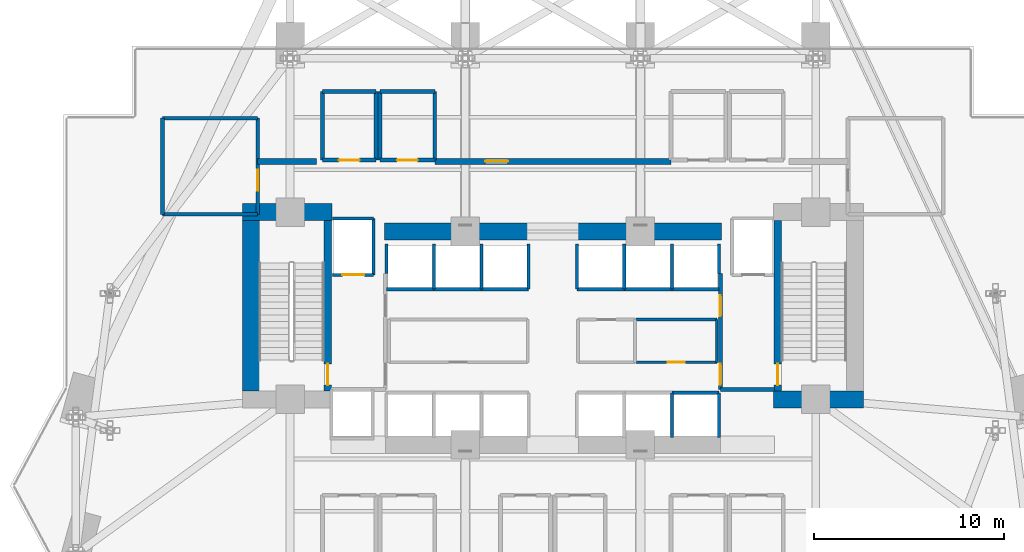
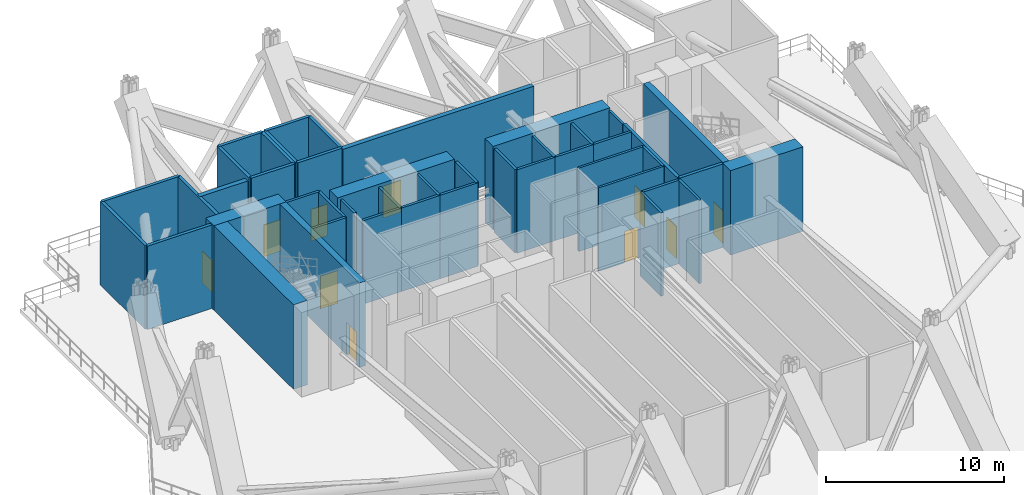
# One storey, part 14 of 21: 46 walls, 10 doors, 10 openings.
"""IFC4 building model written with IfcOpenShell, lengths in metres."""

from ifc_helpers import new_model, si_unit, direction, frame, frame_2d, origin, place, context, subcontext, project, spatial, rectangle, extrude, material, layer, layer_set, type_object, element, fill, save


model = new_model("IFC4")

# Units and contexts
model_context = context("Model", 3, precision=1e-05, world=origin(), true_north=direction((0.0, 1.0)))
body_context = subcontext(model_context, "Body", "Model", "MODEL_VIEW")
ifc_project = project(units=[si_unit("LENGTHUNIT", "METRE"), si_unit("AREAUNIT", "SQUARE_METRE"), si_unit("VOLUMEUNIT", "CUBIC_METRE"), si_unit("PLANEANGLEUNIT", "RADIAN"), si_unit("MASSUNIT", "GRAM", prefix="KILO")], contexts=[model_context])

# Site, building, storey
site_placement = place(None, origin())
site = spatial("IfcSite", under=ifc_project, at=site_placement, CompositionType="ELEMENT")
building_placement = place(site_placement, origin())
building = spatial("IfcBuilding", under=site, at=building_placement, Name="Zuhayl Quay Hotel", CompositionType="ELEMENT")
storey_placement = place(building_placement, frame((0.0, 0.0, 89.64990234375)))
storey = spatial("IfcBuildingStorey", under=building, at=storey_placement, Name="L22", CompositionType="ELEMENT", Elevation=89.64990234375)

# Walls
ifc_material_1 = material(Name="Concrete C70/85", Category="concrete")
ifc_layer_1 = layer(ifc_material_1, 0.89990234375, Name="Concrete C70/85", Category="concrete")
ifc_layer_set_1 = layer_set([ifc_layer_1], Name="Concrete C70/85")
wall_type_1 = type_object("IfcWallType", Name="WL_CORE_900", PredefinedType="SHEAR", material=ifc_layer_set_1)
wall_1_placement = place(storey_placement, frame((-16.31005859375, 14.3798828125, 0.0), z_axis=(0.0, 0.0, 1.0), x_axis=(1.0, 0.0, 0.0)))
element("IfcWall", 1, at=wall_1_placement, inside=storey, type_object=wall_type_1, Name="L22 Core Shear Wall CW_NW", PredefinedType="SHEAR", context=body_context, shape_type="SweptSolid", body=[
    extrude(rectangle(XDim=4.7099609375, YDim=0.89990234375, at=frame_2d((2.35498046875, 0.0))), origin(), (0.0, 0.0, 1.0), 5.81005859375),
])
wall_2_placement = place(storey_placement, frame((-15.860107421875, 4.969970703125, 0.0), z_axis=(0.0, 0.0, 1.0), x_axis=(0.0, 1.0, 0.0)))
element("IfcWall", 2, at=wall_2_placement, inside=storey, type_object=wall_type_1, Name="L22 Core Shear Wall CW_W", PredefinedType="SHEAR", context=body_context, shape_type="SweptSolid", body=[
    extrude(rectangle(XDim=8.9599609375, YDim=0.89990234375, at=frame_2d((4.47998046875, 0.0))), origin(), (0.0, 0.0, 1.0), 5.81005859375),
])
wall_3_placement = place(storey_placement, frame((11.60009765625, 4.52001953125, 0.0), z_axis=(0.0, 0.0, 1.0), x_axis=(1.0, 0.0, 0.0)))
element("IfcWall", 3, at=wall_3_placement, inside=storey, type_object=wall_type_1, Name="L22 Core Shear Wall CW_SE", PredefinedType="SHEAR", context=body_context, shape_type="SweptSolid", body=[
    extrude(rectangle(XDim=4.7099609375, YDim=0.89990234375, at=frame_2d((2.35498046875, 0.0))), origin(), (0.0, 0.0, 1.0), 5.81005859375),
])
for number, where, z_axis, x_axis, name in (
    (4, (-8.85009765625, 13.35009765625, 0.0), (0.0, 0.0, 1.0), (1.0, 0.0, 0.0), "L22 Core Shear Wall CW_NC_W"),
    (5, (1.25, 13.35009765625, 0.0), (0.0, 0.0, 1.0), (1.0, 0.0, 0.0), "L22 Core Shear Wall CW_NC_E"),
):
    element("IfcWall", number, at=place(storey_placement, frame(where, z_axis=z_axis, x_axis=x_axis)), inside=storey, type_object=wall_type_1, Name=name, PredefinedType="SHEAR", context=body_context, shape_type="SweptSolid", body=[
        extrude(rectangle(XDim=7.60009765625, YDim=0.89990234375, at=frame_2d((3.800048828125, 0.0))), origin(), (0.0, 0.0, 1.0), 5.739990234375),
    ])
ifc_material_2 = material(Name="Precast concrete C45/55", Category="concrete")
ifc_layer_2 = layer(ifc_material_2, 0.300048828125, Name="Precast concrete C45/55", Category="concrete")
ifc_layer_set_2 = layer_set([ifc_layer_2], Name="Precast concrete C45/55")
wall_type_2 = type_object("IfcWallType", Name="WL_EXT_300", PredefinedType="STANDARD", material=ifc_layer_set_2)
wall_4_placement = place(storey_placement, frame((-15.5, 17.030029296875, 0.0), z_axis=(0.0, 0.0, 1.0), x_axis=(1.0, 0.0, 0.0)))
element("IfcWall", 6, at=wall_4_placement, inside=storey, type_object=wall_type_2, Name="L22 Exterior Precast Wall EW_WIND_NW_L22", PredefinedType="STANDARD", context=body_context, shape_type="SweptSolid", body=[
    extrude(rectangle(XDim=3.10009765625, YDim=0.300048828125, at=frame_2d((1.550048828125, 0.0))), origin(), (0.0, 0.0, 1.0), 5.739990234375),
])

# Wall, opening, door
wall_5_placement = place(storey_placement, frame((-6.199951171875, 17.030029296875, 0.0), z_axis=(0.0, 0.0, 1.0), x_axis=(1.0, 0.0, 0.0)))
wall_5 = element("IfcWall", 7, at=wall_5_placement, inside=storey, type_object=wall_type_2, Name="L22 Exterior Precast Wall EW_WIND_ACC_L22", PredefinedType="STANDARD", context=body_context, shape_type="SweptSolid", body=[
    extrude(rectangle(XDim=12.39990234375, YDim=0.300048828125, at=frame_2d((6.199951171875, 0.0))), origin(), (0.0, 0.0, 1.0), 5.739990234375),
])
opening_1_placement = place(wall_5_placement, frame((2.64990234375, 0.0, 0.0)))
opening_1 = element("IfcOpeningElement", 8, at=opening_1_placement, cuts=wall_5, Name="Opening DE2", PredefinedType="OPENING", context=body_context, shape_type="SweptSolid", body=[
    extrude(rectangle(XDim=1.199951171875, YDim=2.199951171875, at=frame_2d((0.60009765625, 1.10009765625))), frame((0.0, 0.159912109375, 0.0), z_axis=(0.0, -1.0, 0.0), x_axis=(1.0, 0.0, 0.0)), (0.0, 0.0, 1.0), 0.320068359375),
])
ifc_material_3 = material(Name="Steel ASTM A992 Grade 50", Category="steel")
door_type_1 = type_object("IfcDoorType", Name="DR_EXT_EXIT_1200", OperationType="NOTDEFINED", PredefinedType="DOOR", material=ifc_material_3)
door_1_placement = place(opening_1_placement, origin())
door_1 = element("IfcDoor", 9, at=door_1_placement, inside=storey, type_object=door_type_1, Name="L22 Open Wind-Deck Maintenance Door", OperationType="SINGLE_SWING_LEFT", OverallHeight=2.199951171875, OverallWidth=1.199951171875, PredefinedType="DOOR", context=body_context, shape_type="SweptSolid", body=[
    extrude(rectangle(XDim=1.199951171875, YDim=2.199951171875, at=frame_2d((0.60009765625, 1.10009765625))), frame((0.0, 0.02490234375, 0.0), z_axis=(0.0, -1.0, 0.0), x_axis=(1.0, 0.0, 0.0)), (0.0, 0.0, 1.0), 0.050048828125),
])
fill(opening_1, door_1)

ifc_material_4 = material(Name="Acoustic Gypsum Partition STC-58")
ifc_layer_3 = layer(ifc_material_4, 0.14990234375, Name="Acoustic Gypsum Partition STC-58")
ifc_layer_set_3 = layer_set([ifc_layer_3], Name="Acoustic Gypsum Partition STC-58")
wall_type_3 = type_object("IfcWallType", Name="WL_PART_150", PredefinedType="PARTITIONING", material=ifc_layer_set_3)
wall_6_placement = place(storey_placement, frame((4.3701171875, 6.47998046875, 0.0), z_axis=(0.0, 0.0, 1.0), x_axis=(1.0, 0.0, 0.0)))
wall_6 = element("IfcWall", 10, at=wall_6_placement, inside=storey, type_object=wall_type_3, Name="L22 Partition IW_L22_CORE_LN_S", PredefinedType="PARTITIONING", context=body_context, shape_type="SweptSolid", body=[
    extrude(rectangle(XDim=4.239990234375, YDim=0.14990234375, at=frame_2d((2.1201171875, 0.0))), origin(), (0.0, 0.0, 1.0), 5.739990234375),
])
opening_2_placement = place(wall_6_placement, frame((1.669921875, 0.0, 0.0)))
opening_2 = element("IfcOpeningElement", 11, at=opening_2_placement, cuts=wall_6, Name="Opening D06", PredefinedType="OPENING", context=body_context, shape_type="SweptSolid", body=[
    extrude(rectangle(XDim=0.89990234375, YDim=2.14990234375, at=frame_2d((0.449951171875, 1.074951171875))), frame((0.0, 0.0849609375, 0.0), z_axis=(0.0, -1.0, 0.0), x_axis=(1.0, 0.0, 0.0)), (0.0, 0.0, 1.0), 0.169921875),
])
door_type_2 = type_object("IfcDoorType", Name="DR_INT_900", OperationType="NOTDEFINED", PredefinedType="DOOR", material=ifc_material_3)
door_2_placement = place(opening_2_placement, origin())
door_2 = element("IfcDoor", 12, at=door_2_placement, inside=storey, type_object=door_type_2, Name="L22 Core Linen Store Door", OperationType="SINGLE_SWING_RIGHT", OverallHeight=2.14990234375, OverallWidth=0.89990234375, PredefinedType="DOOR", context=body_context, shape_type="SweptSolid", body=[
    extrude(rectangle(XDim=0.89990234375, YDim=2.14990234375, at=frame_2d((0.449951171875, 1.074951171875))), frame((0.0, 0.02490234375, 0.0), z_axis=(0.0, -1.0, 0.0), x_axis=(1.0, 0.0, 0.0)), (0.0, 0.0, 1.0), 0.050048828125),
])
fill(opening_2, door_2)

# Walls
wall_7_placement = place(storey_placement, frame((4.3701171875, 8.719970703125, 0.0), z_axis=(0.0, 0.0, 1.0), x_axis=(1.0, 0.0, 0.0)))
element("IfcWall", 13, at=wall_7_placement, inside=storey, type_object=wall_type_3, Name="L22 Partition IW_L22_CORE_LN_N", PredefinedType="PARTITIONING", context=body_context, shape_type="SweptSolid", body=[
    extrude(rectangle(XDim=4.239990234375, YDim=0.14990234375, at=frame_2d((2.1201171875, 0.0))), origin(), (0.0, 0.0, 1.0), 5.739990234375),
])
wall_8_placement = place(storey_placement, frame((8.610107421875, 6.47998046875, 0.0), z_axis=(0.0, 0.0, 1.0), x_axis=(0.0, 1.0, 0.0)))
element("IfcWall", 14, at=wall_8_placement, inside=storey, type_object=wall_type_3, Name="L22 Partition IW_L22_CORE_LN_E", PredefinedType="PARTITIONING", context=body_context, shape_type="SweptSolid", body=[
    extrude(rectangle(XDim=2.239990234375, YDim=0.14990234375, at=frame_2d((1.1201171875, 0.0))), origin(), (0.0, 0.0, 1.0), 5.739990234375),
])

# Wall, opening, door
ifc_material_5 = material(Name="Gypsum Fireboard Assembly EI-90")
ifc_layer_4 = layer(ifc_material_5, 0.1650390625, Name="Gypsum Fireboard Assembly EI-90")
ifc_layer_set_4 = layer_set([ifc_layer_4], Name="Gypsum Fireboard Assembly EI-90")
wall_type_4 = type_object("IfcWallType", Name="WL_PART_SHAFT_160", PredefinedType="PARTITIONING", material=ifc_layer_set_4)
wall_9_placement = place(storey_placement, frame((-11.580078125, 11.070068359375, 0.0), z_axis=(0.0, 0.0, 1.0), x_axis=(1.0, 0.0, 0.0)))
wall_9 = element("IfcWall", 15, at=wall_9_placement, inside=storey, type_object=wall_type_4, Name="L22 Partition IW_L22_SH_FL1_F", PredefinedType="PARTITIONING", context=body_context, shape_type="SweptSolid", body=[
    extrude(rectangle(XDim=2.16015625, YDim=0.1650390625, at=frame_2d((1.080078125, 0.0))), origin(), (0.0, 0.0, 1.0), 5.739990234375),
])
opening_3_placement = place(wall_9_placement, frame((0.530029296875, 0.0, 0.0)))
opening_3 = element("IfcOpeningElement", 16, at=opening_3_placement, cuts=wall_9, Name="Opening LD2", PredefinedType="OPENING", context=body_context, shape_type="SweptSolid", body=[
    extrude(rectangle(XDim=1.14990234375, YDim=2.25, at=frame_2d((0.574951171875, 1.125))), frame((0.0, 0.092529296875, 0.0), z_axis=(0.0, -1.0, 0.0), x_axis=(1.0, 0.0, 0.0)), (0.0, 0.0, 1.0), 0.18505859375),
])
ifc_material_6 = material(Name="Brushed Stainless Steel", Category="steel")
door_type_3 = type_object("IfcDoorType", Name="DR_LIFT_FF_1100", OperationType="SLIDING_TO_LEFT", PredefinedType="DOOR", material=ifc_material_6)
door_3_placement = place(opening_3_placement, origin())
door_3 = element("IfcDoor", 17, at=door_3_placement, inside=storey, type_object=door_type_3, Name="L22 Lift FL1 Sliding Landing Door", OperationType="SLIDING_TO_LEFT", OverallHeight=2.25, OverallWidth=1.14990234375, PredefinedType="DOOR", context=body_context, shape_type="SweptSolid", body=[
    extrude(rectangle(XDim=1.14990234375, YDim=2.25, at=frame_2d((0.574951171875, 1.125))), frame((0.0, 0.02490234375, 0.0), z_axis=(0.0, -1.0, 0.0), x_axis=(1.0, 0.0, 0.0)), (0.0, 0.0, 1.0), 0.050048828125),
])
fill(opening_3, door_3)

# Walls
wall_10_placement = place(storey_placement, frame((-9.419921875, 11.070068359375, 0.0), z_axis=(0.0, 0.0, 1.0), x_axis=(0.0, 1.0, 0.0)))
element("IfcWall", 18, at=wall_10_placement, inside=storey, type_object=wall_type_4, Name="L22 Partition IW_L22_SH_FL1_E", PredefinedType="PARTITIONING", context=body_context, shape_type="SweptSolid", body=[
    extrude(rectangle(XDim=2.9599609375, YDim=0.1650390625, at=frame_2d((1.47998046875, 0.0))), origin(), (0.0, 0.0, 1.0), 5.739990234375),
])
wall_11_placement = place(storey_placement, frame((-11.580078125, 14.030029296875, 0.0), z_axis=(0.0, 0.0, 1.0), x_axis=(1.0, 0.0, 0.0)))
element("IfcWall", 19, at=wall_11_placement, inside=storey, type_object=wall_type_4, Name="L22 Partition IW_L22_SH_FL1_B", PredefinedType="PARTITIONING", context=body_context, shape_type="SweptSolid", body=[
    extrude(rectangle(XDim=2.16015625, YDim=0.1650390625, at=frame_2d((1.080078125, 0.0))), origin(), (0.0, 0.0, 1.0), 5.739990234375),
])
wall_12_placement = place(storey_placement, frame((-8.72998046875, 10.320068359375, 0.0), z_axis=(0.0, 0.0, 1.0), x_axis=(1.0, 0.0, 0.0)))
element("IfcWall", 20, at=wall_12_placement, inside=storey, type_object=wall_type_4, Name="L22 Partition IW_L22_SH_LP3_F", PredefinedType="PARTITIONING", context=body_context, shape_type="SweptSolid", body=[
    extrude(rectangle(XDim=2.47998046875, YDim=0.1650390625, at=frame_2d((1.239990234375, 0.0))), origin(), (0.0, 0.0, 1.0), 5.739990234375),
])
wall_13_placement = place(storey_placement, frame((-8.72998046875, 11.14990234375, 0.0), z_axis=(0.0, 0.0, 1.0), x_axis=(0.0, 1.0, 0.0)))
element("IfcWall", 21, at=wall_13_placement, inside=storey, type_object=wall_type_4, Name="L22 Partition IW_L22_SH_LP3_W", PredefinedType="PARTITIONING", context=body_context, shape_type="SweptSolid", body=[
    extrude(rectangle(XDim=1.530029296875, YDim=0.1650390625, at=frame_2d((0.76513671875, 0.0))), origin(), (0.0, 0.0, 1.0), 5.739990234375),
])
wall_14_placement = place(storey_placement, frame((-6.25, 10.320068359375, 0.0), z_axis=(0.0, 0.0, 1.0), x_axis=(0.0, 1.0, 0.0)))
element("IfcWall", 22, at=wall_14_placement, inside=storey, type_object=wall_type_4, Name="L22 Partition IW_L22_SH_LP3_E", PredefinedType="PARTITIONING", context=body_context, shape_type="SweptSolid", body=[
    extrude(rectangle(XDim=2.35986328125, YDim=0.1650390625, at=frame_2d((1.179931640625, 0.0))), origin(), (0.0, 0.0, 1.0), 5.739990234375),
])
wall_15_placement = place(storey_placement, frame((-6.25, 10.320068359375, 0.0), z_axis=(0.0, 0.0, 1.0), x_axis=(1.0, 0.0, 0.0)))
element("IfcWall", 23, at=wall_15_placement, inside=storey, type_object=wall_type_4, Name="L22 Partition IW_L22_SH_LP4_F", PredefinedType="PARTITIONING", context=body_context, shape_type="SweptSolid", body=[
    extrude(rectangle(XDim=2.5, YDim=0.1650390625, at=frame_2d((1.25, 0.0))), origin(), (0.0, 0.0, 1.0), 5.739990234375),
])
wall_16_placement = place(storey_placement, frame((-3.75, 10.320068359375, 0.0), z_axis=(0.0, 0.0, 1.0), x_axis=(0.0, 1.0, 0.0)))
element("IfcWall", 24, at=wall_16_placement, inside=storey, type_object=wall_type_4, Name="L22 Partition IW_L22_SH_LP4_E", PredefinedType="PARTITIONING", context=body_context, shape_type="SweptSolid", body=[
    extrude(rectangle(XDim=2.35986328125, YDim=0.1650390625, at=frame_2d((1.179931640625, 0.0))), origin(), (0.0, 0.0, 1.0), 5.739990234375),
])
wall_17_placement = place(storey_placement, frame((-3.75, 10.320068359375, 0.0), z_axis=(0.0, 0.0, 1.0), x_axis=(1.0, 0.0, 0.0)))
element("IfcWall", 25, at=wall_17_placement, inside=storey, type_object=wall_type_4, Name="L22 Partition IW_L22_SH_MP3_F", PredefinedType="PARTITIONING", context=body_context, shape_type="SweptSolid", body=[
    extrude(rectangle(XDim=2.47998046875, YDim=0.1650390625, at=frame_2d((1.239990234375, 0.0))), origin(), (0.0, 0.0, 1.0), 5.739990234375),
])
wall_18_placement = place(storey_placement, frame((-1.27001953125, 10.320068359375, 0.0), z_axis=(0.0, 0.0, 1.0), x_axis=(0.0, 1.0, 0.0)))
element("IfcWall", 26, at=wall_18_placement, inside=storey, type_object=wall_type_4, Name="L22 Partition IW_L22_SH_MP3_E", PredefinedType="PARTITIONING", context=body_context, shape_type="SweptSolid", body=[
    extrude(rectangle(XDim=2.35986328125, YDim=0.1650390625, at=frame_2d((1.179931640625, 0.0))), origin(), (0.0, 0.0, 1.0), 5.739990234375),
])
wall_19_placement = place(storey_placement, frame((1.27001953125, 10.320068359375, 0.0), z_axis=(0.0, 0.0, 1.0), x_axis=(1.0, 0.0, 0.0)))
element("IfcWall", 27, at=wall_19_placement, inside=storey, type_object=wall_type_4, Name="L22 Partition IW_L22_SH_MP4_F", PredefinedType="PARTITIONING", context=body_context, shape_type="SweptSolid", body=[
    extrude(rectangle(XDim=2.47998046875, YDim=0.1650390625, at=frame_2d((1.239990234375, 0.0))), origin(), (0.0, 0.0, 1.0), 5.739990234375),
])
for number, where, z_axis, x_axis, name in (
    (28, (1.27001953125, 10.320068359375, 0.0), (0.0, 0.0, 1.0), (0.0, 1.0, 0.0), "L22 Partition IW_L22_SH_MP4_W"),
    (29, (3.75, 10.320068359375, 0.0), (0.0, 0.0, 1.0), (0.0, 1.0, 0.0), "L22 Partition IW_L22_SH_MP4_E"),
    (30, (6.25, 2.52001953125, 0.0), (0.0, 0.0, 1.0), (0.0, 1.0, 0.0), "L22 Partition IW_L22_SH_HP1_E"),
):
    element("IfcWall", number, at=place(storey_placement, frame(where, z_axis=z_axis, x_axis=x_axis)), inside=storey, type_object=wall_type_4, Name=name, PredefinedType="PARTITIONING", context=body_context, shape_type="SweptSolid", body=[
        extrude(rectangle(XDim=2.35986328125, YDim=0.1650390625, at=frame_2d((1.179931640625, 0.0))), origin(), (0.0, 0.0, 1.0), 5.739990234375),
    ])
wall_20_placement = place(storey_placement, frame((6.25, 4.8798828125, 0.0), z_axis=(0.0, 0.0, 1.0), x_axis=(1.0, 0.0, 0.0)))
element("IfcWall", 31, at=wall_20_placement, inside=storey, type_object=wall_type_4, Name="L22 Partition IW_L22_SH_HP2_F", PredefinedType="PARTITIONING", context=body_context, shape_type="SweptSolid", body=[
    extrude(rectangle(XDim=2.47998046875, YDim=0.1650390625, at=frame_2d((1.239990234375, 0.0))), origin(), (0.0, 0.0, 1.0), 5.739990234375),
])
wall_21_placement = place(storey_placement, frame((8.72998046875, 2.52001953125, 0.0), z_axis=(0.0, 0.0, 1.0), x_axis=(0.0, 1.0, 0.0)))
element("IfcWall", 32, at=wall_21_placement, inside=storey, type_object=wall_type_4, Name="L22 Partition IW_L22_SH_HP2_E", PredefinedType="PARTITIONING", context=body_context, shape_type="SweptSolid", body=[
    extrude(rectangle(XDim=2.35986328125, YDim=0.1650390625, at=frame_2d((1.179931640625, 0.0))), origin(), (0.0, 0.0, 1.0), 5.739990234375),
])
wall_22_placement = place(storey_placement, frame((3.75, 10.320068359375, 0.0), z_axis=(0.0, 0.0, 1.0), x_axis=(1.0, 0.0, 0.0)))
element("IfcWall", 33, at=wall_22_placement, inside=storey, type_object=wall_type_4, Name="L22 Partition IW_L22_SH_HP3_F", PredefinedType="PARTITIONING", context=body_context, shape_type="SweptSolid", body=[
    extrude(rectangle(XDim=2.5, YDim=0.1650390625, at=frame_2d((1.25, 0.0))), origin(), (0.0, 0.0, 1.0), 5.739990234375),
])
wall_23_placement = place(storey_placement, frame((6.25, 10.320068359375, 0.0), z_axis=(0.0, 0.0, 1.0), x_axis=(0.0, 1.0, 0.0)))
element("IfcWall", 34, at=wall_23_placement, inside=storey, type_object=wall_type_4, Name="L22 Partition IW_L22_SH_HP3_E", PredefinedType="PARTITIONING", context=body_context, shape_type="SweptSolid", body=[
    extrude(rectangle(XDim=2.35986328125, YDim=0.1650390625, at=frame_2d((1.179931640625, 0.0))), origin(), (0.0, 0.0, 1.0), 5.739990234375),
])
wall_24_placement = place(storey_placement, frame((6.25, 10.320068359375, 0.0), z_axis=(0.0, 0.0, 1.0), x_axis=(1.0, 0.0, 0.0)))
element("IfcWall", 35, at=wall_24_placement, inside=storey, type_object=wall_type_4, Name="L22 Partition IW_L22_SH_HP4_F", PredefinedType="PARTITIONING", context=body_context, shape_type="SweptSolid", body=[
    extrude(rectangle(XDim=2.47998046875, YDim=0.1650390625, at=frame_2d((1.239990234375, 0.0))), origin(), (0.0, 0.0, 1.0), 5.739990234375),
])
wall_25_placement = place(storey_placement, frame((8.72998046875, 11.14990234375, 0.0), z_axis=(0.0, 0.0, 1.0), x_axis=(0.0, 1.0, 0.0)))
element("IfcWall", 36, at=wall_25_placement, inside=storey, type_object=wall_type_4, Name="L22 Partition IW_L22_SH_HP4_E", PredefinedType="PARTITIONING", context=body_context, shape_type="SweptSolid", body=[
    extrude(rectangle(XDim=1.530029296875, YDim=0.1650390625, at=frame_2d((0.76513671875, 0.0))), origin(), (0.0, 0.0, 1.0), 5.739990234375),
])

# Wall, openings, doors
ifc_material_7 = material(Name="Gypsum Fireboard Assembly EI-120")
ifc_layer_5 = layer(ifc_material_7, 0.199951171875, Name="Gypsum Fireboard Assembly EI-120")
ifc_layer_set_5 = layer_set([ifc_layer_5], Name="Gypsum Fireboard Assembly EI-120")
wall_type_5 = type_object("IfcWallType", Name="WL_PART_SHAFT_200", PredefinedType="PARTITIONING", material=ifc_layer_set_5)
wall_26_placement = place(storey_placement, frame((8.800048828125, 11.14990234375, 0.0), z_axis=(0.0, 0.0, 1.0), x_axis=(0.0, -1.0, 0.0)))
wall_26 = element("IfcWall", 37, at=wall_26_placement, inside=storey, type_object=wall_type_5, Name="L22 Partition IW_L22_FSAE_E_W", PredefinedType="PARTITIONING", context=body_context, shape_type="SweptSolid", body=[
    extrude(rectangle(XDim=6.099853515625, YDim=0.199951171875, at=frame_2d((3.0498046875, 0.0))), origin(), (0.0, 0.0, 1.0), 5.739990234375),
])
opening_4_placement = place(wall_26_placement, frame((1.14990234375, 0.0, 0.0)))
opening_4 = element("IfcOpeningElement", 38, at=opening_4_placement, cuts=wall_26, Name="Opening D02", PredefinedType="OPENING", context=body_context, shape_type="SweptSolid", body=[
    extrude(rectangle(XDim=1.10009765625, YDim=2.199951171875, at=frame_2d((0.550048828125, 1.10009765625))), frame((0.0, 0.10986328125, 0.0), z_axis=(0.0, -1.0, 0.0), x_axis=(1.0, 0.0, 0.0)), (0.0, 0.0, 1.0), 0.219970703125),
])
opening_5_placement = place(wall_26_placement, frame((4.75, 0.0, 0.0)))
opening_5 = element("IfcOpeningElement", 39, at=opening_5_placement, cuts=wall_26, Name="Opening D02", PredefinedType="OPENING", context=body_context, shape_type="SweptSolid", body=[
    extrude(rectangle(XDim=1.10009765625, YDim=2.199951171875, at=frame_2d((0.550048828125, 1.10009765625))), frame((0.0, 0.10986328125, 0.0), z_axis=(0.0, -1.0, 0.0), x_axis=(1.0, 0.0, 0.0)), (0.0, 0.0, 1.0), 0.219970703125),
])
door_type_4 = type_object("IfcDoorType", Name="DR_FIRE_90_1100", OperationType="NOTDEFINED", PredefinedType="DOOR", material=ifc_material_3)
door_4_placement = place(opening_4_placement, origin())
door_4 = element("IfcDoor", 40, at=door_4_placement, inside=storey, type_object=door_type_4, Name="L22 FSAE Lobby East North Entry Door", OperationType="SINGLE_SWING_RIGHT", OverallHeight=2.199951171875, OverallWidth=1.10009765625, PredefinedType="DOOR", context=body_context, shape_type="SweptSolid", body=[
    extrude(rectangle(XDim=1.10009765625, YDim=2.199951171875, at=frame_2d((0.550048828125, 1.10009765625))), frame((0.0, 0.02490234375, 0.0), z_axis=(0.0, -1.0, 0.0), x_axis=(1.0, 0.0, 0.0)), (0.0, 0.0, 1.0), 0.050048828125),
])
fill(opening_4, door_4)
door_5_placement = place(opening_5_placement, origin())
door_5 = element("IfcDoor", 41, at=door_5_placement, inside=storey, type_object=door_type_4, Name="L22 FSAE Lobby East South Entry Door", OperationType="SINGLE_SWING_LEFT", OverallHeight=2.199951171875, OverallWidth=1.10009765625, PredefinedType="DOOR", context=body_context, shape_type="SweptSolid", body=[
    extrude(rectangle(XDim=1.10009765625, YDim=2.199951171875, at=frame_2d((0.550048828125, 1.10009765625))), frame((0.0, 0.02490234375, 0.0), z_axis=(0.0, -1.0, 0.0), x_axis=(1.0, 0.0, 0.0)), (0.0, 0.0, 1.0), 0.050048828125),
])
fill(opening_5, door_5)

# Wall, opening, door
wall_27_placement = place(storey_placement, frame((-15.5, 14.25, 0.0), z_axis=(0.0, 0.0, 1.0), x_axis=(0.0, 1.0, 0.0)))
wall_27 = element("IfcWall", 42, at=wall_27_placement, inside=storey, type_object=wall_type_5, Name="L22 Partition IW_L22_REF_W_E", PredefinedType="PARTITIONING", context=body_context, shape_type="SweptSolid", body=[
    extrude(rectangle(XDim=5.050048828125, YDim=0.199951171875, at=frame_2d((2.52490234375, 0.0))), origin(), (0.0, 0.0, 1.0), 5.739990234375),
])
opening_6_placement = place(wall_27_placement, frame((1.25, 0.0, 0.0)))
opening_6 = element("IfcOpeningElement", 43, at=opening_6_placement, cuts=wall_27, Name="Opening D02", PredefinedType="OPENING", context=body_context, shape_type="SweptSolid", body=[
    extrude(rectangle(XDim=1.10009765625, YDim=2.199951171875, at=frame_2d((0.550048828125, 1.10009765625))), frame((0.0, 0.10986328125, 0.0), z_axis=(0.0, -1.0, 0.0), x_axis=(1.0, 0.0, 0.0)), (0.0, 0.0, 1.0), 0.219970703125),
])
door_6_placement = place(opening_6_placement, origin())
door_6 = element("IfcDoor", 44, at=door_6_placement, inside=storey, type_object=door_type_4, Name="L22 West Refuge Area Door", OperationType="SINGLE_SWING_LEFT", OverallHeight=2.199951171875, OverallWidth=1.10009765625, PredefinedType="DOOR", context=body_context, shape_type="SweptSolid", body=[
    extrude(rectangle(XDim=1.10009765625, YDim=2.199951171875, at=frame_2d((0.550048828125, 1.10009765625))), frame((0.0, 0.02490234375, 0.0), z_axis=(0.0, -1.0, 0.0), x_axis=(1.0, 0.0, 0.0)), (0.0, 0.0, 1.0), 0.050048828125),
])
fill(opening_6, door_6)

wall_28_placement = place(storey_placement, frame((-12.10009765625, 17.10009765625, 0.0), z_axis=(0.0, 0.0, 1.0), x_axis=(1.0, 0.0, 0.0)))
wall_28 = element("IfcWall", 45, at=wall_28_placement, inside=storey, type_object=wall_type_5, Name="L22 Partition IW_L22_MEP_HEX1_S", PredefinedType="PARTITIONING", context=body_context, shape_type="SweptSolid", body=[
    extrude(rectangle(XDim=2.820068359375, YDim=0.199951171875, at=frame_2d((1.41015625, 0.0))), origin(), (0.0, 0.0, 1.0), 5.739990234375),
])
opening_7_placement = place(wall_28_placement, frame((0.8701171875, 0.0, 0.0)))
opening_7 = element("IfcOpeningElement", 46, at=opening_7_placement, cuts=wall_28, Name="Opening D05A", PredefinedType="OPENING", context=body_context, shape_type="SweptSolid", body=[
    extrude(rectangle(XDim=1.080078125, YDim=2.179931640625, at=frame_2d((0.5400390625, 1.08984375))), frame((0.0, 0.10986328125, 0.0), z_axis=(0.0, -1.0, 0.0), x_axis=(1.0, 0.0, 0.0)), (0.0, 0.0, 1.0), 0.219970703125),
])
ifc_material_8 = material(Name="Solid Walnut Acoustic Fire Door")
door_type_5 = type_object("IfcDoorType", Name="DR_INT_1100", OperationType="NOTDEFINED", PredefinedType="DOOR", material=ifc_material_8)
door_7_placement = place(opening_7_placement, origin())
door_7 = element("IfcDoor", 47, at=door_7_placement, inside=storey, type_object=door_type_5, Name="L22 Chiller Plant Room 1 Door", OperationType="SINGLE_SWING_LEFT", OverallHeight=2.179931640625, OverallWidth=1.080078125, PredefinedType="DOOR", context=body_context, shape_type="SweptSolid", body=[
    extrude(rectangle(XDim=1.080078125, YDim=2.179931640625, at=frame_2d((0.5400390625, 1.08984375))), frame((0.0, 0.02490234375, 0.0), z_axis=(0.0, -1.0, 0.0), x_axis=(1.0, 0.0, 0.0)), (0.0, 0.0, 1.0), 0.050048828125),
])
fill(opening_7, door_7)

wall_29_placement = place(storey_placement, frame((-9.080078125, 17.10009765625, 0.0), z_axis=(0.0, 0.0, 1.0), x_axis=(1.0, 0.0, 0.0)))
wall_29 = element("IfcWall", 48, at=wall_29_placement, inside=storey, type_object=wall_type_5, Name="L22 Partition IW_L22_MEP_HEX2_S", PredefinedType="PARTITIONING", context=body_context, shape_type="SweptSolid", body=[
    extrude(rectangle(XDim=2.880126953125, YDim=0.199951171875, at=frame_2d((1.43994140625, 0.0))), origin(), (0.0, 0.0, 1.0), 5.739990234375),
])
opening_8_placement = place(wall_29_placement, frame((0.89990234375, 0.0, 0.0)))
opening_8 = element("IfcOpeningElement", 49, at=opening_8_placement, cuts=wall_29, Name="Opening D05A", PredefinedType="OPENING", context=body_context, shape_type="SweptSolid", body=[
    extrude(rectangle(XDim=1.080078125, YDim=2.179931640625, at=frame_2d((0.5400390625, 1.08984375))), frame((0.0, 0.10986328125, 0.0), z_axis=(0.0, -1.0, 0.0), x_axis=(1.0, 0.0, 0.0)), (0.0, 0.0, 1.0), 0.219970703125),
])
door_8_placement = place(opening_8_placement, origin())
door_8 = element("IfcDoor", 50, at=door_8_placement, inside=storey, type_object=door_type_5, Name="L22 Chiller Plant Room 2 Door", OperationType="SINGLE_SWING_RIGHT", OverallHeight=2.179931640625, OverallWidth=1.080078125, PredefinedType="DOOR", context=body_context, shape_type="SweptSolid", body=[
    extrude(rectangle(XDim=1.080078125, YDim=2.179931640625, at=frame_2d((0.5400390625, 1.08984375))), frame((0.0, 0.02490234375, 0.0), z_axis=(0.0, -1.0, 0.0), x_axis=(1.0, 0.0, 0.0)), (0.0, 0.0, 1.0), 0.050048828125),
])
fill(opening_8, door_8)

# Walls
wall_30_placement = place(storey_placement, frame((8.800048828125, 5.050048828125, 0.0), z_axis=(0.0, 0.0, 1.0), x_axis=(1.0, 0.0, 0.0)))
element("IfcWall", 51, at=wall_30_placement, inside=storey, type_object=wall_type_5, Name="L22 Partition IW_L22_FSAE_E_S", PredefinedType="PARTITIONING", context=body_context, shape_type="SweptSolid", body=[
    extrude(rectangle(XDim=2.849853515625, YDim=0.199951171875, at=frame_2d((1.4248046875, 0.0))), origin(), (0.0, 0.0, 1.0), 5.739990234375),
])
wall_31_placement = place(storey_placement, frame((-20.5, 14.25, 0.0), z_axis=(0.0, 0.0, 1.0), x_axis=(0.0, 1.0, 0.0)))
element("IfcWall", 52, at=wall_31_placement, inside=storey, type_object=wall_type_5, Name="L22 Partition IW_L22_REF_W_W", PredefinedType="PARTITIONING", context=body_context, shape_type="SweptSolid", body=[
    extrude(rectangle(XDim=5.050048828125, YDim=0.199951171875, at=frame_2d((2.52490234375, 0.0))), origin(), (0.0, 0.0, 1.0), 5.739990234375),
])
for number, where, z_axis, x_axis, name in (
    (53, (-20.5, 19.300048828125, 0.0), (0.0, 0.0, 1.0), (1.0, 0.0, 0.0), "L22 Partition IW_L22_REF_W_N"),
    (54, (-20.5, 14.25, 0.0), (0.0, 0.0, 1.0), (1.0, 0.0, 0.0), "L22 Partition IW_L22_REF_W_S"),
):
    element("IfcWall", number, at=place(storey_placement, frame(where, z_axis=z_axis, x_axis=x_axis)), inside=storey, type_object=wall_type_5, Name=name, PredefinedType="PARTITIONING", context=body_context, shape_type="SweptSolid", body=[
        extrude(rectangle(XDim=5.0, YDim=0.199951171875, at=frame_2d((2.5, 0.0))), origin(), (0.0, 0.0, 1.0), 5.739990234375),
    ])
wall_32_placement = place(storey_placement, frame((-12.10009765625, 20.699951171875, 0.0), z_axis=(0.0, 0.0, 1.0), x_axis=(1.0, 0.0, 0.0)))
element("IfcWall", 55, at=wall_32_placement, inside=storey, type_object=wall_type_5, Name="L22 Partition IW_L22_MEP_HEX1_N", PredefinedType="PARTITIONING", context=body_context, shape_type="SweptSolid", body=[
    extrude(rectangle(XDim=2.820068359375, YDim=0.199951171875, at=frame_2d((1.41015625, 0.0))), origin(), (0.0, 0.0, 1.0), 5.739990234375),
])
for number, where, z_axis, x_axis, name in (
    (56, (-12.10009765625, 17.10009765625, 0.0), (0.0, 0.0, 1.0), (0.0, 1.0, 0.0), "L22 Partition IW_L22_MEP_HEX1_W"),
    (57, (-9.280029296875, 17.10009765625, 0.0), (0.0, 0.0, 1.0), (0.0, 1.0, 0.0), "L22 Partition IW_L22_MEP_HEX1_E"),
):
    element("IfcWall", number, at=place(storey_placement, frame(where, z_axis=z_axis, x_axis=x_axis)), inside=storey, type_object=wall_type_5, Name=name, PredefinedType="PARTITIONING", context=body_context, shape_type="SweptSolid", body=[
        extrude(rectangle(XDim=3.599853515625, YDim=0.199951171875, at=frame_2d((1.7998046875, 0.0))), origin(), (0.0, 0.0, 1.0), 5.739990234375),
    ])
wall_33_placement = place(storey_placement, frame((-9.080078125, 20.699951171875, 0.0), z_axis=(0.0, 0.0, 1.0), x_axis=(1.0, 0.0, 0.0)))
element("IfcWall", 58, at=wall_33_placement, inside=storey, type_object=wall_type_5, Name="L22 Partition IW_L22_MEP_HEX2_N", PredefinedType="PARTITIONING", context=body_context, shape_type="SweptSolid", body=[
    extrude(rectangle(XDim=2.880126953125, YDim=0.199951171875, at=frame_2d((1.43994140625, 0.0))), origin(), (0.0, 0.0, 1.0), 5.739990234375),
])
for number, where, z_axis, x_axis, name in (
    (59, (-9.080078125, 17.10009765625, 0.0), (0.0, 0.0, 1.0), (0.0, 1.0, 0.0), "L22 Partition IW_L22_MEP_HEX2_W"),
    (60, (-6.199951171875, 17.10009765625, 0.0), (0.0, 0.0, 1.0), (0.0, 1.0, 0.0), "L22 Partition IW_L22_MEP_HEX2_E"),
):
    element("IfcWall", number, at=place(storey_placement, frame(where, z_axis=z_axis, x_axis=x_axis)), inside=storey, type_object=wall_type_5, Name=name, PredefinedType="PARTITIONING", context=body_context, shape_type="SweptSolid", body=[
        extrude(rectangle(XDim=3.599853515625, YDim=0.199951171875, at=frame_2d((1.7998046875, 0.0))), origin(), (0.0, 0.0, 1.0), 5.739990234375),
    ])

# Wall, opening, door
ifc_material_9 = material(Name="Concrete C60/75", Category="concrete")
ifc_layer_6 = layer(ifc_material_9, 0.39990234375, Name="Concrete C60/75", Category="concrete")
ifc_layer_set_6 = layer_set([ifc_layer_6], Name="Concrete C60/75")
wall_type_6 = type_object("IfcWallType", Name="WL_STAIR_400", PredefinedType="SHEAR", material=ifc_layer_set_6)
wall_34_placement = place(storey_placement, frame((-11.820068359375, 4.969970703125, 0.0), z_axis=(0.0, 0.0, 1.0), x_axis=(0.0, 1.0, 0.0)))
wall_34 = element("IfcWall", 61, at=wall_34_placement, inside=storey, type_object=wall_type_6, Name="L22 Core Shear Wall SW_ST1", PredefinedType="SHEAR", context=body_context, shape_type="SweptSolid", body=[
    extrude(rectangle(XDim=8.9599609375, YDim=0.39990234375, at=frame_2d((4.47998046875, 0.0))), origin(), (0.0, 0.0, 1.0), 5.81005859375),
])
opening_9_placement = place(wall_34_placement, frame((0.31005859375, 0.0, 0.0)))
opening_9 = element("IfcOpeningElement", 62, at=opening_9_placement, cuts=wall_34, Name="Opening D01", PredefinedType="OPENING", context=body_context, shape_type="SweptSolid", body=[
    extrude(rectangle(XDim=1.1201171875, YDim=2.219970703125, at=frame_2d((0.56005859375, 1.10986328125))), frame((0.0, 0.2099609375, 0.0), z_axis=(0.0, -1.0, 0.0), x_axis=(1.0, 0.0, 0.0)), (0.0, 0.0, 1.0), 0.419921875),
])
door_type_6 = type_object("IfcDoorType", Name="DR_STAIR_90_1100", OperationType="NOTDEFINED", PredefinedType="DOOR", material=ifc_material_3)
door_9_placement = place(opening_9_placement, origin())
door_9 = element("IfcDoor", 63, at=door_9_placement, inside=storey, type_object=door_type_6, Name="L22 Smokeproof Exit Stair ST1 Door", OperationType="SINGLE_SWING_LEFT", OverallHeight=2.219970703125, OverallWidth=1.1201171875, PredefinedType="DOOR", context=body_context, shape_type="SweptSolid", body=[
    extrude(rectangle(XDim=1.1201171875, YDim=2.219970703125, at=frame_2d((0.56005859375, 1.10986328125))), frame((0.0, 0.02490234375, 0.0), z_axis=(0.0, -1.0, 0.0), x_axis=(1.0, 0.0, 0.0)), (0.0, 0.0, 1.0), 0.050048828125),
])
fill(opening_9, door_9)

wall_35_placement = place(storey_placement, frame((11.820068359375, 13.929931640625, 0.0), z_axis=(0.0, 0.0, 1.0), x_axis=(0.0, -1.0, 0.0)))
wall_35 = element("IfcWall", 64, at=wall_35_placement, inside=storey, type_object=wall_type_6, Name="L22 Core Shear Wall SW_ST2", PredefinedType="SHEAR", context=body_context, shape_type="SweptSolid", body=[
    extrude(rectangle(XDim=8.9599609375, YDim=0.39990234375, at=frame_2d((4.47998046875, 0.0))), origin(), (0.0, 0.0, 1.0), 5.81005859375),
])
opening_10_placement = place(wall_35_placement, frame((7.530029296875, 0.0, 0.0)))
opening_10 = element("IfcOpeningElement", 65, at=opening_10_placement, cuts=wall_35, Name="Opening D01", PredefinedType="OPENING", context=body_context, shape_type="SweptSolid", body=[
    extrude(rectangle(XDim=1.1201171875, YDim=2.219970703125, at=frame_2d((0.56005859375, 1.10986328125))), frame((0.0, 0.2099609375, 0.0), z_axis=(0.0, -1.0, 0.0), x_axis=(1.0, 0.0, 0.0)), (0.0, 0.0, 1.0), 0.419921875),
])
door_10_placement = place(opening_10_placement, origin())
door_10 = element("IfcDoor", 66, at=door_10_placement, inside=storey, type_object=door_type_6, Name="L22 Smokeproof Exit Stair ST2 Door", OperationType="SINGLE_SWING_RIGHT", OverallHeight=2.219970703125, OverallWidth=1.1201171875, PredefinedType="DOOR", context=body_context, shape_type="SweptSolid", body=[
    extrude(rectangle(XDim=1.1201171875, YDim=2.219970703125, at=frame_2d((0.56005859375, 1.10986328125))), frame((0.0, 0.02490234375, 0.0), z_axis=(0.0, -1.0, 0.0), x_axis=(1.0, 0.0, 0.0)), (0.0, 0.0, 1.0), 0.050048828125),
])
fill(opening_10, door_10)

save(model, "model.ifc")
